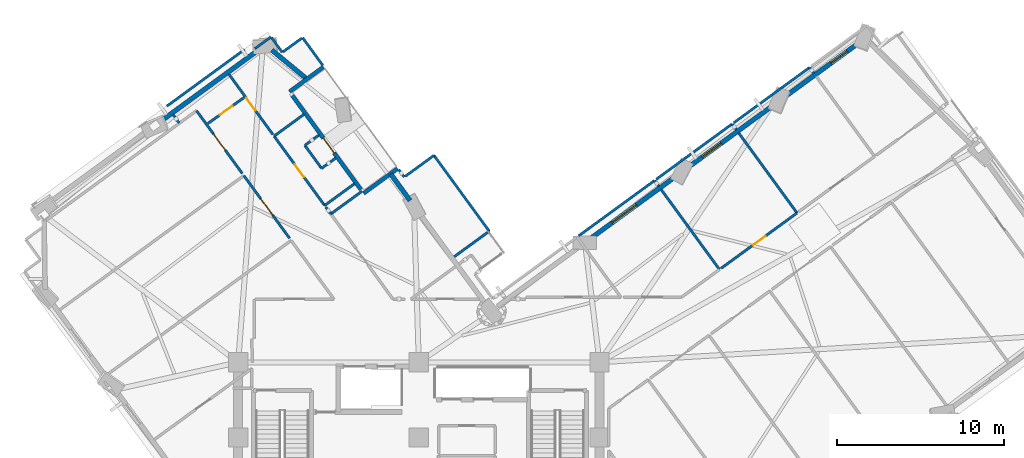
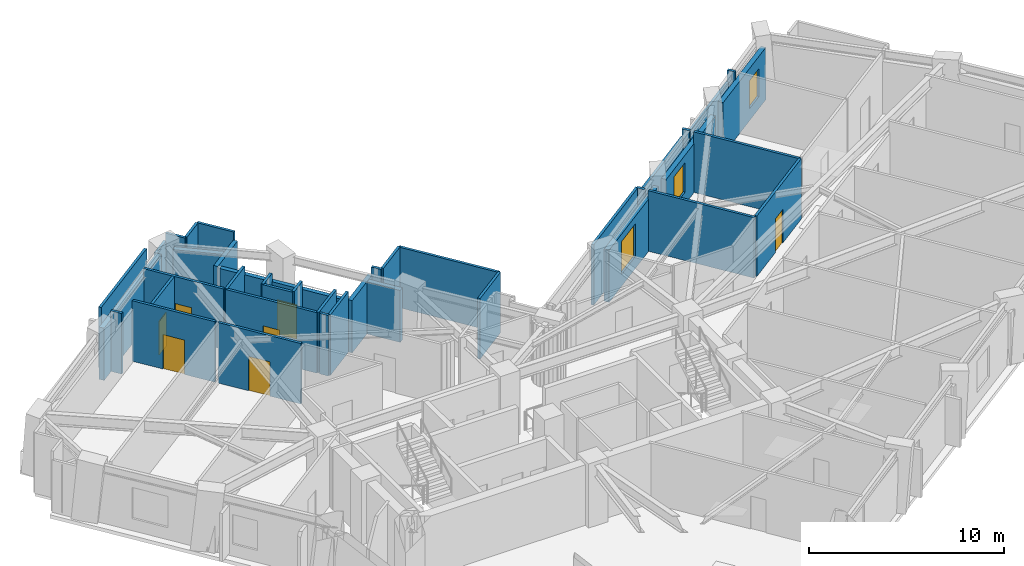
# One storey, part 8 of 14: 40 walls, 7 doors, 3 windows, 10 openings.
"""IFC4 building model written with IfcOpenShell, lengths in metres."""

from ifc_helpers import new_model, si_unit, direction, frame, frame_2d, origin, place, context, subcontext, project, spatial, rectangle, extrude, material, layer, layer_set, type_object, element, fill, save


model = new_model("IFC4")

# Units and contexts
model_context = context("Model", 3, precision=1e-05, world=origin(), true_north=direction((0.0, 1.0)))
body_context = subcontext(model_context, "Body", "Model", "MODEL_VIEW")
ifc_project = project(units=[si_unit("LENGTHUNIT", "METRE"), si_unit("AREAUNIT", "SQUARE_METRE"), si_unit("VOLUMEUNIT", "CUBIC_METRE"), si_unit("PLANEANGLEUNIT", "RADIAN"), si_unit("MASSUNIT", "GRAM", prefix="KILO")], contexts=[model_context])

# Site, building, storey
site_placement = place(None, origin())
site = spatial("IfcSite", under=ifc_project, at=site_placement, CompositionType="ELEMENT")
building_placement = place(site_placement, origin())
building = spatial("IfcBuilding", under=site, at=building_placement, Name="Gaonmaruhae Medical Tower", CompositionType="ELEMENT")
storey_placement = place(building_placement, frame((0.0, 0.0, 177.800048828125)))
storey = spatial("IfcBuildingStorey", under=building, at=storey_placement, Name="L42", CompositionType="ELEMENT", Elevation=177.800048828125)

# Wall, opening, door
ifc_material_1 = material(Name="Precast concrete C45/55", Category="concrete")
ifc_layer_1 = layer(ifc_material_1, 0.239990234375)
ifc_layer_set_1 = layer_set([ifc_layer_1], Name="Precast concrete C45/55")
wall_type_1 = type_object("IfcWallType", Name="EW-240 Ribbon & Shelter Insulated Precast Wall", PredefinedType="SOLIDWALL", material=ifc_layer_set_1)
wall_1_placement = place(storey_placement, frame((17.235595703125, 32.7470703125, 0.0), z_axis=(0.0, 0.0, 1.0), x_axis=(0.589164046523, -0.808013444371, 0.0)))
wall_1 = element("IfcWall", 1, at=wall_1_placement, inside=storey, type_object=wall_type_1, Name="L42 Recessed Terrace Enclosure Wall TERB", PredefinedType="SOLIDWALL", context=body_context, shape_type="SweptSolid", body=[
    extrude(rectangle(XDim=6.9599609375, YDim=0.239990234375, at=frame_2d((3.47998046875, 0.0))), origin(), (0.0, 0.0, 1.0), 3.264892578125),
])
opening_1_placement = place(wall_1_placement, frame((3.15234375, 0.0, 0.0)))
opening_1 = element("IfcOpeningElement", 2, at=opening_1_placement, cuts=wall_1, Name="Opening TD-01", PredefinedType="OPENING", context=body_context, shape_type="SweptSolid", body=[
    extrude(rectangle(XDim=1.10009765625, YDim=2.14990234375, at=frame_2d((0.550048828125, 1.074951171875))), frame((0.0, 0.1298828125, 0.0), z_axis=(0.0, -1.0, 0.0), x_axis=(1.0, 0.0, 0.0)), (0.0, 0.0, 1.0), 0.260009765625),
])
ifc_material_2 = material(Name="Anodised aluminium and toughened safety glass", Category="aluminium")
door_type_1 = type_object("IfcDoorType", Name="TD-01 Terrace & Sky Garden Glazed Door 1100x2150", OperationType="NOTDEFINED", PredefinedType="DOOR", material=ifc_material_2)
door_1_placement = place(opening_1_placement, origin())
door_1 = element("IfcDoor", 3, at=door_1_placement, inside=storey, type_object=door_type_1, Name="L42 Outdoor Terrace Access Door SLB-L42-TER", OperationType="SINGLE_SWING_RIGHT", OverallHeight=2.14990234375, OverallWidth=1.10009765625, PredefinedType="DOOR", context=body_context, shape_type="SweptSolid", body=[
    extrude(rectangle(XDim=1.10009765625, YDim=2.14990234375, at=frame_2d((0.550048828125, 1.074951171875))), frame((0.0, 0.02490234375, 0.0), z_axis=(0.0, -1.0, 0.0), x_axis=(1.0, 0.0, 0.0)), (0.0, 0.0, 1.0), 0.050048828125),
])
fill(opening_1, door_1)

# Walls
wall_2_placement = place(storey_placement, frame((21.501220703125, 26.897216796875, 0.0), z_axis=(0.0, 0.0, 1.0), x_axis=(0.808013341442, 0.589164187686, 0.0)))
element("IfcWall", 4, at=wall_2_placement, inside=storey, type_object=wall_type_1, Name="L42 Recessed Terrace Enclosure Wall TERL", PredefinedType="SOLIDWALL", context=body_context, shape_type="SweptSolid", body=[
    extrude(rectangle(XDim=2.5, YDim=0.239990234375, at=frame_2d((1.25, 0.0))), origin(), (0.0, 0.0, 1.0), 3.264892578125),
])
wall_3_placement = place(storey_placement, frame((19.090576171875, 34.4462890625, 0.0), z_axis=(0.0, 0.0, 1.0), x_axis=(-0.807966851779, -0.589227940976, 0.0)))
element("IfcWall", 5, at=wall_3_placement, inside=storey, type_object=wall_type_1, Name="L42 Recessed Terrace Enclosure Wall TERR", PredefinedType="SOLIDWALL", context=body_context, shape_type="SweptSolid", body=[
    extrude(rectangle(XDim=2.500244140625, YDim=0.239990234375, at=frame_2d((1.25, 0.0))), origin(), (0.0, 0.0, 1.0), 3.264892578125),
])

# Wall, opening, window
ifc_layer_2 = layer(ifc_material_1, 0.280029296875)
ifc_layer_set_2 = layer_set([ifc_layer_2], Name="Precast concrete C45/55")
wall_type_2 = type_object("IfcWallType", Name="EW-280 Upper Precast Masonry-Frame Facade Wall", PredefinedType="SOLIDWALL", material=ifc_layer_set_2)
wall_4_placement = place(storey_placement, frame((46.75048828125, 32.718505859375, 0.0), z_axis=(0.0, 0.0, 1.0), x_axis=(0.807961830103, 0.589234826785, 0.0)))
wall_4 = element("IfcWall", 6, at=wall_4_placement, inside=storey, type_object=wall_type_2, Name="L42 Precast Masonry-Frame Wall E03-EN01", PredefinedType="SOLIDWALL", context=body_context, shape_type="SweptSolid", body=[
    extrude(rectangle(XDim=5.404541015625, YDim=0.280029296875, at=frame_2d((2.7021484375, 0.0))), origin(), (0.0, 0.0, 1.0), 3.264892578125),
])
opening_2_placement = place(wall_4_placement, frame((3.333740234375, 0.0, 0.75)))
opening_2 = element("IfcOpeningElement", 7, at=opening_2_placement, cuts=wall_4, Name="Opening WN-05", PredefinedType="OPENING", context=body_context, shape_type="SweptSolid", body=[
    extrude(rectangle(XDim=1.199951171875, YDim=1.75, at=frame_2d((0.60009765625, 0.875))), frame((0.0, 0.14990234375, 0.0), z_axis=(0.0, -1.0, 0.0), x_axis=(1.0, 0.0, 0.0)), (0.0, 0.0, 1.0), 0.300048828125),
])
ifc_material_3 = material(Name="Anodised aluminium and Low-E double glazing", Category="aluminium")
window_type_1 = type_object("IfcWindowType", Name="WN-05 Support & Staff Punched Window 1200x1750", PartitioningType="SINGLE_PANEL", PredefinedType="WINDOW", material=ifc_material_3)
window_1_placement = place(opening_2_placement, origin())
window_1 = element("IfcWindow", 8, at=window_1_placement, inside=storey, type_object=window_type_1, Name="L42 Modular Facade Window E03", OverallHeight=1.75, OverallWidth=1.199951171875, PartitioningType="SINGLE_PANEL", PredefinedType="WINDOW", context=body_context, shape_type="SweptSolid", body=[
    extrude(rectangle(XDim=1.199951171875, YDim=1.75, at=frame_2d((0.60009765625, 0.875))), frame((0.0, 0.030029296875, 0.0), z_axis=(0.0, -1.0, 0.0), x_axis=(1.0, 0.0, 0.0)), (0.0, 0.0, 1.0), 0.06005859375),
])
fill(opening_2, window_1)

wall_5_placement = place(storey_placement, frame((40.9423828125, 28.4833984375, 0.0), z_axis=(0.0, 0.0, 1.0), x_axis=(0.807987697301, 0.589199355915, 0.0)))
wall_5 = element("IfcWall", 9, at=wall_5_placement, inside=storey, type_object=wall_type_2, Name="L42 Precast Masonry-Frame Wall EN01-EN02", PredefinedType="SOLIDWALL", context=body_context, shape_type="SweptSolid", body=[
    extrude(rectangle(XDim=6.2265625, YDim=0.280029296875, at=frame_2d((3.11328125, 0.0))), origin(), (0.0, 0.0, 1.0), 3.06494140625),
])
opening_3_placement = place(wall_5_placement, frame((0.995849609375, 0.0, 0.75)))
opening_3 = element("IfcOpeningElement", 10, at=opening_3_placement, cuts=wall_5, Name="Opening WN-03", PredefinedType="OPENING", context=body_context, shape_type="SweptSolid", body=[
    extrude(rectangle(XDim=1.39990234375, YDim=1.85009765625, at=frame_2d((0.699951171875, 0.925048828125))), frame((0.0, 0.14990234375, 0.0), z_axis=(0.0, -1.0, 0.0), x_axis=(1.0, 0.0, 0.0)), (0.0, 0.0, 1.0), 0.300048828125),
])
window_type_2 = type_object("IfcWindowType", Name="WN-03 Isolation Ward Punched Window 1400x1850", PartitioningType="SINGLE_PANEL", PredefinedType="WINDOW", material=ifc_material_3)
window_2_placement = place(opening_3_placement, origin())
window_2 = element("IfcWindow", 11, at=window_2_placement, inside=storey, type_object=window_type_2, Name="L42 Modular Facade Window EN01", OverallHeight=1.85009765625, OverallWidth=1.39990234375, PartitioningType="SINGLE_PANEL", PredefinedType="WINDOW", context=body_context, shape_type="SweptSolid", body=[
    extrude(rectangle(XDim=1.39990234375, YDim=1.85009765625, at=frame_2d((0.699951171875, 0.925048828125))), frame((0.0, 0.030029296875, 0.0), z_axis=(0.0, -1.0, 0.0), x_axis=(1.0, 0.0, 0.0)), (0.0, 0.0, 1.0), 0.06005859375),
])
fill(opening_3, window_2)

wall_6_placement = place(storey_placement, frame((35.128662109375, 24.243896484375, 0.0), z_axis=(0.0, 0.0, 1.0), x_axis=(0.808002852065, 0.589178573147, 0.0)))
wall_6 = element("IfcWall", 12, at=wall_6_placement, inside=storey, type_object=wall_type_2, Name="L42 Precast Masonry-Frame Wall EN02-EN03", PredefinedType="SOLIDWALL", context=body_context, shape_type="SweptSolid", body=[
    extrude(rectangle(XDim=6.211181640625, YDim=0.280029296875, at=frame_2d((3.10546875, 0.0))), origin(), (0.0, 0.0, 1.0), 3.264892578125),
])
opening_4_placement = place(wall_6_placement, frame((1.523681640625, 0.0, 0.75)))
opening_4 = element("IfcOpeningElement", 13, at=opening_4_placement, cuts=wall_6, Name="Opening WN-04", PredefinedType="OPENING", context=body_context, shape_type="SweptSolid", body=[
    extrude(rectangle(XDim=1.800048828125, YDim=2.050048828125, at=frame_2d((0.89990234375, 1.02490234375))), frame((0.0, 0.14990234375, 0.0), z_axis=(0.0, -1.0, 0.0), x_axis=(1.0, 0.0, 0.0)), (0.0, 0.0, 1.0), 0.300048828125),
])
window_type_3 = type_object("IfcWindowType", Name="WN-04 Clinic & Consult Punched Window 1800x2050", PartitioningType="SINGLE_PANEL", PredefinedType="WINDOW", material=ifc_material_3)
window_3_placement = place(opening_4_placement, origin())
window_3 = element("IfcWindow", 14, at=window_3_placement, inside=storey, type_object=window_type_3, Name="L42 Modular Facade Window EN02", OverallHeight=2.050048828125, OverallWidth=1.800048828125, PartitioningType="SINGLE_PANEL", PredefinedType="WINDOW", context=body_context, shape_type="SweptSolid", body=[
    extrude(rectangle(XDim=1.800048828125, YDim=2.050048828125, at=frame_2d((0.89990234375, 1.02490234375))), frame((0.0, 0.030029296875, 0.0), z_axis=(0.0, -1.0, 0.0), x_axis=(1.0, 0.0, 0.0)), (0.0, 0.0, 1.0), 0.06005859375),
])
fill(opening_4, window_3)

# Walls
wall_7_placement = place(storey_placement, frame((24.2783203125, 26.46630859375, 0.0), z_axis=(0.0, 0.0, 1.0), x_axis=(-0.589146798516, 0.808026020496, 0.0)))
element("IfcWall", 15, at=wall_7_placement, inside=storey, type_object=wall_type_2, Name="L42 Precast Masonry-Frame Wall NE01-NE02", PredefinedType="SOLIDWALL", context=body_context, shape_type="SweptSolid", body=[
    extrude(rectangle(XDim=1.96435546875, YDim=0.280029296875, at=frame_2d((0.982177734375, 0.0))), origin(), (0.0, 0.0, 1.0), 3.244873046875),
])
wall_8_placement = place(storey_placement, frame((16.014892578125, 35.459716796875, 0.0), z_axis=(0.0, 0.0, 1.0), x_axis=(0.771396619777, -0.63635466133, 0.0)))
element("IfcWall", 16, at=wall_8_placement, inside=storey, type_object=wall_type_2, Name="L42 Precast Masonry-Frame Wall NE02-N01", PredefinedType="SOLIDWALL", context=body_context, shape_type="SweptSolid", body=[
    extrude(rectangle(XDim=2.695556640625, YDim=0.280029296875, at=frame_2d((1.34765625, 0.0))), origin(), (0.0, 0.0, 1.0), 3.244873046875),
])
wall_9_placement = place(storey_placement, frame((9.2666015625, 31.127685546875, 0.0), z_axis=(0.0, 0.0, 1.0), x_axis=(0.807974712065, 0.589217162567, 0.0)))
element("IfcWall", 17, at=wall_9_placement, inside=storey, type_object=wall_type_2, Name="L42 Precast Masonry-Frame Wall N01-N02", PredefinedType="SOLIDWALL", context=body_context, shape_type="SweptSolid", body=[
    extrude(rectangle(XDim=7.230712890625, YDim=0.280029296875, at=frame_2d((3.615234375, 0.0))), origin(), (0.0, 0.0, 1.0), 3.264892578125),
])

# Wall, opening, door
ifc_material_4 = material(Name="Gypsum board partition", Category="gypsum")
ifc_layer_3 = layer(ifc_material_4, 0.14990234375)
ifc_layer_set_3 = layer_set([ifc_layer_3], Name="Gypsum board partition")
wall_type_3 = type_object("IfcWallType", Name="PW-150 Rated Clinical Corridor Partition", PredefinedType="PARTITIONING", material=ifc_layer_set_3)
wall_10_placement = place(storey_placement, frame((14.341064453125, 27.958984375, 0.0), z_axis=(0.0, 0.0, 1.0), x_axis=(0.589203646607, -0.807984568432, 0.0)))
wall_10 = element("IfcWall", 18, at=wall_10_placement, inside=storey, type_object=wall_type_3, Name="L42 Interior Partition L42-WOF16-54", PredefinedType="PARTITIONING", context=body_context, shape_type="SweptSolid", body=[
    extrude(rectangle(XDim=4.639892578125, YDim=0.14990234375, at=frame_2d((2.31982421875, 0.0))), origin(), (0.0, 0.0, 1.0), 3.780029296875),
])
opening_5_placement = place(wall_10_placement, frame((1.719970703125, 0.0, 0.0)))
opening_5 = element("IfcOpeningElement", 19, at=opening_5_placement, cuts=wall_10, Name="Opening CD-02", PredefinedType="OPENING", context=body_context, shape_type="SweptSolid", body=[
    extrude(rectangle(XDim=1.199951171875, YDim=2.14990234375, at=frame_2d((0.60009765625, 1.074951171875))), frame((0.0, 0.0849609375, 0.0), z_axis=(0.0, -1.0, 0.0), x_axis=(1.0, 0.0, 0.0)), (0.0, 0.0, 1.0), 0.169921875),
])
ifc_material_5 = material(Name="Antimicrobial laminate timber fire door", Category="wood")
door_type_2 = type_object("IfcDoorType", Name="CD-02 Clinical Treatment & Procedure Door 1200x2150", OperationType="NOTDEFINED", PredefinedType="DOOR", material=ifc_material_5)
door_2_placement = place(opening_5_placement, origin())
door_2 = element("IfcDoor", 20, at=door_2_placement, inside=storey, type_object=door_type_2, Name="L42 Ward Physician Reporting Office Door", OperationType="SINGLE_SWING_LEFT", OverallHeight=2.14990234375, OverallWidth=1.199951171875, PredefinedType="DOOR", context=body_context, shape_type="SweptSolid", body=[
    extrude(rectangle(XDim=1.199951171875, YDim=2.14990234375, at=frame_2d((0.60009765625, 1.074951171875))), frame((0.0, 0.02490234375, 0.0), z_axis=(0.0, -1.0, 0.0), x_axis=(1.0, 0.0, 0.0)), (0.0, 0.0, 1.0), 0.050048828125),
])
fill(opening_5, door_2)

wall_11_placement = place(storey_placement, frame((11.512939453125, 31.8369140625, 0.0), z_axis=(0.0, 0.0, 1.0), x_axis=(0.589100581197, -0.808059716378, 0.0)))
wall_11 = element("IfcWall", 21, at=wall_11_placement, inside=storey, type_object=wall_type_3, Name="L42 Interior Partition L42-WOF17-56", PredefinedType="PARTITIONING", context=body_context, shape_type="SweptSolid", body=[
    extrude(rectangle(XDim=4.6396484375, YDim=0.14990234375, at=frame_2d((2.31982421875, 0.0))), origin(), (0.0, 0.0, 1.0), 3.780029296875),
])
opening_6_placement = place(wall_11_placement, frame((1.7197265625, 0.0, 0.0)))
opening_6 = element("IfcOpeningElement", 22, at=opening_6_placement, cuts=wall_11, Name="Opening CD-02", PredefinedType="OPENING", context=body_context, shape_type="SweptSolid", body=[
    extrude(rectangle(XDim=1.199951171875, YDim=2.14990234375, at=frame_2d((0.60009765625, 1.074951171875))), frame((0.0, 0.0849609375, 0.0), z_axis=(0.0, -1.0, 0.0), x_axis=(1.0, 0.0, 0.0)), (0.0, 0.0, 1.0), 0.169921875),
])
door_3_placement = place(opening_6_placement, origin())
door_3 = element("IfcDoor", 23, at=door_3_placement, inside=storey, type_object=door_type_2, Name="L42 Ward Physician Reporting Office Door", OperationType="SINGLE_SWING_LEFT", OverallHeight=2.14990234375, OverallWidth=1.199951171875, PredefinedType="DOOR", context=body_context, shape_type="SweptSolid", body=[
    extrude(rectangle(XDim=1.199951171875, YDim=2.14990234375, at=frame_2d((0.60009765625, 1.074951171875))), frame((0.0, 0.02490234375, 0.0), z_axis=(0.0, -1.0, 0.0), x_axis=(1.0, 0.0, 0.0)), (0.0, 0.0, 1.0), 0.050048828125),
])
fill(opening_6, door_3)

# Walls
wall_12_placement = place(storey_placement, frame((34.35205078125, 24.35791015625, 0.0), z_axis=(0.0, 0.0, 1.0), x_axis=(0.807979944468, 0.589209987473, 0.0)))
element("IfcWall", 24, at=wall_12_placement, inside=storey, type_object=wall_type_3, Name="L42 Interior Partition L42-IE03-79", PredefinedType="PARTITIONING", context=body_context, shape_type="SweptSolid", body=[
    extrude(rectangle(XDim=5.61767578125, YDim=0.14990234375, at=frame_2d((2.808837890625, 0.0))), origin(), (0.0, 0.0, 1.0), 3.780029296875),
])
wall_13_placement = place(storey_placement, frame((38.89111328125, 27.66796875, 0.0), z_axis=(0.0, 0.0, 1.0), x_axis=(0.588973394119, -0.808152424373, 0.0)))
element("IfcWall", 25, at=wall_13_placement, inside=storey, type_object=wall_type_3, Name="L42 Interior Partition L42-IE03-80", PredefinedType="PARTITIONING", context=body_context, shape_type="SweptSolid", body=[
    extrude(rectangle(XDim=0.434326171875, YDim=0.14990234375, at=frame_2d((0.21728515625, 0.0))), origin(), (0.0, 0.0, 1.0), 3.780029296875),
])
wall_14_placement = place(storey_placement, frame((39.282958984375, 27.131103515625, 0.0), z_axis=(0.0, 0.0, 1.0), x_axis=(0.58921251088, -0.807978104296, 0.0)))
element("IfcWall", 26, at=wall_14_placement, inside=storey, type_object=wall_type_3, Name="L42 Interior Partition L42-IE03-81", PredefinedType="PARTITIONING", context=body_context, shape_type="SweptSolid", body=[
    extrude(rectangle(XDim=5.9248046875, YDim=0.14990234375, at=frame_2d((2.96240234375, 0.0))), origin(), (0.0, 0.0, 1.0), 3.780029296875),
])

# Wall, opening, door
wall_15_placement = place(storey_placement, frame((47.409912109375, 25.72412109375, 0.0), z_axis=(0.0, 0.0, 1.0), x_axis=(-0.807964856264, -0.589230677275, 0.0)))
wall_15 = element("IfcWall", 27, at=wall_15_placement, inside=storey, type_object=wall_type_3, Name="L42 Interior Partition L42-IE04-84", PredefinedType="PARTITIONING", context=body_context, shape_type="SweptSolid", body=[
    extrude(rectangle(XDim=5.61767578125, YDim=0.14990234375, at=frame_2d((2.808837890625, 0.0))), origin(), (0.0, 0.0, 1.0), 3.780029296875),
])
opening_7_placement = place(wall_15_placement, frame((2.348876953125, 0.0, 0.0)))
opening_7 = element("IfcOpeningElement", 28, at=opening_7_placement, cuts=wall_15, Name="Opening UD-01", PredefinedType="OPENING", context=body_context, shape_type="SweptSolid", body=[
    extrude(rectangle(XDim=0.919921875, YDim=2.10009765625, at=frame_2d((0.4599609375, 1.050048828125))), frame((0.0, 0.0849609375, 0.0), z_axis=(0.0, -1.0, 0.0), x_axis=(1.0, 0.0, 0.0)), (0.0, 0.0, 1.0), 0.169921875),
])
ifc_material_6 = material(Name="Powder-coated steel utility door", Category="steel")
door_type_3 = type_object("IfcDoorType", Name="UD-01 Toilet, Utility & Housekeeping Door 920x2100", OperationType="NOTDEFINED", PredefinedType="DOOR", material=ifc_material_6)
door_4_placement = place(opening_7_placement, origin())
door_4 = element("IfcDoor", 29, at=door_4_placement, inside=storey, type_object=door_type_3, Name="L42 Accessible Public Toilet Door", OperationType="SINGLE_SWING_RIGHT", OverallHeight=2.10009765625, OverallWidth=0.919921875, PredefinedType="DOOR", context=body_context, shape_type="SweptSolid", body=[
    extrude(rectangle(XDim=0.919921875, YDim=2.10009765625, at=frame_2d((0.4599609375, 1.050048828125))), frame((0.0, 0.02490234375, 0.0), z_axis=(0.0, -1.0, 0.0), x_axis=(1.0, 0.0, 0.0)), (0.0, 0.0, 1.0), 0.050048828125),
])
fill(opening_7, door_4)

# Walls
wall_16_placement = place(storey_placement, frame((38.988037109375, 27.739013671875, 0.0), z_axis=(0.0, 0.0, 1.0), x_axis=(0.807979944468, 0.589209987473, 0.0)))
element("IfcWall", 30, at=wall_16_placement, inside=storey, type_object=wall_type_3, Name="L42 Interior Partition L42-IE04-85", PredefinedType="PARTITIONING", context=body_context, shape_type="SweptSolid", body=[
    extrude(rectangle(XDim=5.61767578125, YDim=0.14990234375, at=frame_2d((2.808837890625, 0.0))), origin(), (0.0, 0.0, 1.0), 3.264892578125),
])
wall_17_placement = place(storey_placement, frame((43.527099609375, 31.049072265625, 0.0), z_axis=(0.0, 0.0, 1.0), x_axis=(0.587904822125, -0.808930108305, 0.0)))
element("IfcWall", 31, at=wall_17_placement, inside=storey, type_object=wall_type_3, Name="L42 Interior Partition L42-IE04-86", PredefinedType="PARTITIONING", context=body_context, shape_type="SweptSolid", body=[
    extrude(rectangle(XDim=0.435302734375, YDim=0.14990234375, at=frame_2d((0.2177734375, 0.0))), origin(), (0.0, 0.0, 1.0), 3.780029296875),
])
wall_18_placement = place(storey_placement, frame((43.9189453125, 30.511962890625, 0.0), z_axis=(0.0, 0.0, 1.0), x_axis=(0.589153663483, -0.808021015076, 0.0)))
element("IfcWall", 32, at=wall_18_placement, inside=storey, type_object=wall_type_3, Name="L42 Interior Partition L42-IE04-87", PredefinedType="PARTITIONING", context=body_context, shape_type="SweptSolid", body=[
    extrude(rectangle(XDim=5.92529296875, YDim=0.14990234375, at=frame_2d((2.962646484375, 0.0))), origin(), (0.0, 0.0, 1.0), 3.780029296875),
])
wall_19_placement = place(storey_placement, frame((43.6240234375, 31.118896484375, 0.0), z_axis=(0.0, 0.0, 1.0), x_axis=(0.807979944468, 0.589209987473, 0.0)))
element("IfcWall", 33, at=wall_19_placement, inside=storey, type_object=wall_type_3, Name="L42 Interior Partition L42-IE05-89", PredefinedType="PARTITIONING", context=body_context, shape_type="SweptSolid", body=[
    extrude(rectangle(XDim=5.61767578125, YDim=0.14990234375, at=frame_2d((2.808837890625, 0.0))), origin(), (0.0, 0.0, 1.0), 3.06494140625),
])
wall_20_placement = place(storey_placement, frame((48.1630859375, 34.428955078125, 0.0), z_axis=(0.0, 0.0, 1.0), x_axis=(0.588973394119, -0.808152424373, 0.0)))
element("IfcWall", 34, at=wall_20_placement, inside=storey, type_object=wall_type_3, Name="L42 Interior Partition L42-IE05-90", PredefinedType="PARTITIONING", context=body_context, shape_type="SweptSolid", body=[
    extrude(rectangle(XDim=0.434326171875, YDim=0.14990234375, at=frame_2d((0.21728515625, 0.0))), origin(), (0.0, 0.0, 1.0), 3.780029296875),
])
wall_21_placement = place(storey_placement, frame((19.541015625, 25.6650390625, 0.0), z_axis=(0.0, 0.0, 1.0), x_axis=(0.807958250953, 0.589239734503, 0.0)))
element("IfcWall", 35, at=wall_21_placement, inside=storey, type_object=wall_type_3, Name="L42 Interior Partition L42-IN01-101", PredefinedType="PARTITIONING", context=body_context, shape_type="SweptSolid", body=[
    extrude(rectangle(XDim=2.3095703125, YDim=0.14990234375, at=frame_2d((1.15478515625, 0.0))), origin(), (0.0, 0.0, 1.0), 3.780029296875),
])
wall_22_placement = place(storey_placement, frame((23.60400390625, 28.323974609375, 0.0), z_axis=(0.0, 0.0, 1.0), x_axis=(0.590292880672, -0.807189144518, 0.0)))
element("IfcWall", 36, at=wall_22_placement, inside=storey, type_object=wall_type_3, Name="L42 Interior Partition L42-IN01-102", PredefinedType="PARTITIONING", context=body_context, shape_type="SweptSolid", body=[
    extrude(rectangle(XDim=0.5537109375, YDim=0.14990234375, at=frame_2d((0.27685546875, 0.0))), origin(), (0.0, 0.0, 1.0), 3.780029296875),
])
wall_23_placement = place(storey_placement, frame((16.14892578125, 30.31689453125, 0.0), z_axis=(0.0, 0.0, 1.0), x_axis=(0.807867554791, 0.589364075861, 0.0)))
element("IfcWall", 37, at=wall_23_placement, inside=storey, type_object=wall_type_3, Name="L42 Interior Partition L42-IN02-103", PredefinedType="PARTITIONING", context=body_context, shape_type="SweptSolid", body=[
    extrude(rectangle(XDim=2.214599609375, YDim=0.14990234375, at=frame_2d((1.107421875, 0.0))), origin(), (0.0, 0.0, 1.0), 3.780029296875),
])
wall_24_placement = place(storey_placement, frame((18.839111328125, 30.386962890625, 0.0), z_axis=(0.0, 0.0, 1.0), x_axis=(-0.807653927486, -0.589656792903, 0.0)))
element("IfcWall", 38, at=wall_24_placement, inside=storey, type_object=wall_type_3, Name="L42 Interior Partition L42-IN02-104", PredefinedType="PARTITIONING", context=body_context, shape_type="SweptSolid", body=[
    extrude(rectangle(XDim=1.054931640625, YDim=0.14990234375, at=frame_2d((0.52734375, 0.0))), origin(), (0.0, 0.0, 1.0), 3.780029296875),
])
wall_25_placement = place(storey_placement, frame((17.987060546875, 29.764892578125, 0.0), z_axis=(0.0, 0.0, 1.0), x_axis=(0.589263942503, -0.807940595629, 0.0)))
element("IfcWall", 39, at=wall_25_placement, inside=storey, type_object=wall_type_3, Name="L42 Interior Partition L42-IN02-105", PredefinedType="PARTITIONING", context=body_context, shape_type="SweptSolid", body=[
    extrude(rectangle(XDim=1.700439453125, YDim=0.14990234375, at=frame_2d((0.85009765625, 0.0))), origin(), (0.0, 0.0, 1.0), 3.780029296875),
])
wall_26_placement = place(storey_placement, frame((18.989013671875, 28.39111328125, 0.0), z_axis=(0.0, 0.0, 1.0), x_axis=(0.807764139301, 0.589505805959, 0.0)))
element("IfcWall", 40, at=wall_26_placement, inside=storey, type_object=wall_type_3, Name="L42 Interior Partition L42-IN02-106", PredefinedType="PARTITIONING", context=body_context, shape_type="SweptSolid", body=[
    extrude(rectangle(XDim=1.054931640625, YDim=0.14990234375, at=frame_2d((0.52734375, 0.0))), origin(), (0.0, 0.0, 1.0), 3.780029296875),
])
wall_27_placement = place(storey_placement, frame((20.9609375, 27.47705078125, 0.0), z_axis=(0.0, 0.0, 1.0), x_axis=(-0.808073108898, -0.589082210456, 0.0)))
element("IfcWall", 41, at=wall_27_placement, inside=storey, type_object=wall_type_3, Name="L42 Interior Partition L42-IN02-107", PredefinedType="PARTITIONING", context=body_context, shape_type="SweptSolid", body=[
    extrude(rectangle(XDim=2.215087890625, YDim=0.14990234375, at=frame_2d((1.107421875, 0.0))), origin(), (0.0, 0.0, 1.0), 3.780029296875),
])

# Wall, opening, door
wall_28_placement = place(storey_placement, frame((19.1708984375, 26.172119140625, 0.0), z_axis=(0.0, 0.0, 1.0), x_axis=(-0.589139140752, 0.808031603858, 0.0)))
wall_28 = element("IfcWall", 42, at=wall_28_placement, inside=storey, type_object=wall_type_3, Name="L42 Interior Partition L42-IN02-108", PredefinedType="PARTITIONING", context=body_context, shape_type="SweptSolid", body=[
    extrude(rectangle(XDim=5.12939453125, YDim=0.14990234375, at=frame_2d((2.564697265625, 0.0))), origin(), (0.0, 0.0, 1.0), 3.780029296875),
])
opening_8_placement = place(wall_28_placement, frame((2.104736328125, 0.0, 0.0)))
opening_8 = element("IfcOpeningElement", 43, at=opening_8_placement, cuts=wall_28, Name="Opening UD-01", PredefinedType="OPENING", context=body_context, shape_type="SweptSolid", body=[
    extrude(rectangle(XDim=0.919921875, YDim=2.10009765625, at=frame_2d((0.4599609375, 1.050048828125))), frame((0.0, 0.0849609375, 0.0), z_axis=(0.0, -1.0, 0.0), x_axis=(1.0, 0.0, 0.0)), (0.0, 0.0, 1.0), 0.169921875),
])
door_5_placement = place(opening_8_placement, origin())
door_5 = element("IfcDoor", 44, at=door_5_placement, inside=storey, type_object=door_type_3, Name="L42 Ward Nutrition Pantry Door", OperationType="SINGLE_SWING_LEFT", OverallHeight=2.10009765625, OverallWidth=0.919921875, PredefinedType="DOOR", context=body_context, shape_type="SweptSolid", body=[
    extrude(rectangle(XDim=0.919921875, YDim=2.10009765625, at=frame_2d((0.4599609375, 1.050048828125))), frame((0.0, 0.02490234375, 0.0), z_axis=(0.0, -1.0, 0.0), x_axis=(1.0, 0.0, 0.0)), (0.0, 0.0, 1.0), 0.050048828125),
])
fill(opening_8, door_5)

# Wall
wall_29_placement = place(storey_placement, frame((17.85205078125, 36.212890625, 0.0), z_axis=(0.0, 0.0, 1.0), x_axis=(0.589005407572, -0.808129092318, 0.0)))
element("IfcWall", 45, at=wall_29_placement, inside=storey, type_object=wall_type_3, Name="L42 Interior Partition L42-IN03-109", PredefinedType="PARTITIONING", context=body_context, shape_type="SweptSolid", body=[
    extrude(rectangle(XDim=2.0712890625, YDim=0.14990234375, at=frame_2d((1.03564453125, 0.0))), origin(), (0.0, 0.0, 1.0), 3.780029296875),
])

# Wall, opening, door
wall_30_placement = place(storey_placement, frame((16.077880859375, 30.4140625, 0.0), z_axis=(0.0, 0.0, 1.0), x_axis=(-0.589322799206, 0.807897665757, 0.0)))
wall_30 = element("IfcWall", 46, at=wall_30_placement, inside=storey, type_object=wall_type_3, Name="L42 Interior Partition L42-IN03-110", PredefinedType="PARTITIONING", context=body_context, shape_type="SweptSolid", body=[
    extrude(rectangle(XDim=4.474609375, YDim=0.14990234375, at=frame_2d((2.2373046875, 0.0))), origin(), (0.0, 0.0, 1.0), 3.780029296875),
])
opening_9_placement = place(wall_30_placement, frame((1.77734375, 0.0, 0.0)))
opening_9 = element("IfcOpeningElement", 47, at=opening_9_placement, cuts=wall_30, Name="Opening UD-01", PredefinedType="OPENING", context=body_context, shape_type="SweptSolid", body=[
    extrude(rectangle(XDim=0.919921875, YDim=2.10009765625, at=frame_2d((0.4599609375, 1.050048828125))), frame((0.0, 0.0849609375, 0.0), z_axis=(0.0, -1.0, 0.0), x_axis=(1.0, 0.0, 0.0)), (0.0, 0.0, 1.0), 0.169921875),
])
door_6_placement = place(opening_9_placement, origin())
door_6 = element("IfcDoor", 48, at=door_6_placement, inside=storey, type_object=door_type_3, Name="L42 Public Visitor Toilet Door", OperationType="SINGLE_SWING_LEFT", OverallHeight=2.10009765625, OverallWidth=0.919921875, PredefinedType="DOOR", context=body_context, shape_type="SweptSolid", body=[
    extrude(rectangle(XDim=0.919921875, YDim=2.10009765625, at=frame_2d((0.4599609375, 1.050048828125))), frame((0.0, 0.02490234375, 0.0), z_axis=(0.0, -1.0, 0.0), x_axis=(1.0, 0.0, 0.0)), (0.0, 0.0, 1.0), 0.050048828125),
])
fill(opening_9, door_6)

# Walls
wall_31_placement = place(storey_placement, frame((14.9970703125, 35.5419921875, 0.0), z_axis=(0.0, 0.0, 1.0), x_axis=(0.807997455197, 0.589185974371, 0.0)))
element("IfcWall", 49, at=wall_31_placement, inside=storey, type_object=wall_type_3, Name="L42 Interior Partition L42-IN03-111", PredefinedType="PARTITIONING", context=body_context, shape_type="SweptSolid", body=[
    extrude(rectangle(XDim=1.20166015625, YDim=0.14990234375, at=frame_2d((0.600830078125, 0.0))), origin(), (0.0, 0.0, 1.0), 3.264892578125),
])
wall_32_placement = place(storey_placement, frame((15.9970703125, 36.2099609375, 0.0), z_axis=(0.0, 0.0, 1.0), x_axis=(0.589488811875, -0.8077765413, 0.0)))
element("IfcWall", 50, at=wall_32_placement, inside=storey, type_object=wall_type_3, Name="L42 Interior Partition L42-IN03-112", PredefinedType="PARTITIONING", context=body_context, shape_type="SweptSolid", body=[
    extrude(rectangle(XDim=1.090576171875, YDim=0.14990234375, at=frame_2d((0.54541015625, 0.0))), origin(), (0.0, 0.0, 1.0), 3.780029296875),
])
wall_33_placement = place(storey_placement, frame((16.679931640625, 35.35791015625, 0.0), z_axis=(0.0, 0.0, 1.0), x_axis=(0.807770770607, 0.589496719374, 0.0)))
element("IfcWall", 51, at=wall_33_placement, inside=storey, type_object=wall_type_3, Name="L42 Interior Partition L42-IN03-113", PredefinedType="PARTITIONING", context=body_context, shape_type="SweptSolid", body=[
    extrude(rectangle(XDim=1.4013671875, YDim=0.14990234375, at=frame_2d((0.70068359375, 0.0))), origin(), (0.0, 0.0, 1.0), 3.780029296875),
])

# Wall, opening, door
wall_34_placement = place(storey_placement, frame((14.365966796875, 32.635986328125, 0.0), z_axis=(0.0, 0.0, 1.0), x_axis=(-0.811496275177, -0.584357592039, 0.0)))
wall_34 = element("IfcWall", 52, at=wall_34_placement, inside=storey, type_object=wall_type_3, Name="L42 Interior Partition L42-RM03-114", PredefinedType="PARTITIONING", context=body_context, shape_type="SweptSolid", body=[
    extrude(rectangle(XDim=2.67626953125, YDim=0.14990234375, at=frame_2d((1.338134765625, 0.0))), origin(), (0.0, 0.0, 1.0), 3.780029296875),
])
opening_10_placement = place(wall_34_placement, frame((0.87841796875, 0.0, 0.0)))
opening_10 = element("IfcOpeningElement", 53, at=opening_10_placement, cuts=wall_34, Name="Opening UD-01", PredefinedType="OPENING", context=body_context, shape_type="SweptSolid", body=[
    extrude(rectangle(XDim=0.919921875, YDim=2.10009765625, at=frame_2d((0.4599609375, 1.050048828125))), frame((0.0, 0.0849609375, 0.0), z_axis=(0.0, -1.0, 0.0), x_axis=(1.0, 0.0, 0.0)), (0.0, 0.0, 1.0), 0.169921875),
])
door_7_placement = place(opening_10_placement, origin())
door_7 = element("IfcDoor", 54, at=door_7_placement, inside=storey, type_object=door_type_3, Name="L42 Biomedical Mobile Equipment Bay Door", OperationType="SINGLE_SWING_RIGHT", OverallHeight=2.10009765625, OverallWidth=0.919921875, PredefinedType="DOOR", context=body_context, shape_type="SweptSolid", body=[
    extrude(rectangle(XDim=0.919921875, YDim=2.10009765625, at=frame_2d((0.4599609375, 1.050048828125))), frame((0.0, 0.02490234375, 0.0), z_axis=(0.0, -1.0, 0.0), x_axis=(1.0, 0.0, 0.0)), (0.0, 0.0, 1.0), 0.050048828125),
])
fill(opening_10, door_7)

# Walls
wall_35_placement = place(storey_placement, frame((10.47509765625, 31.10498046875, 0.0), z_axis=(0.0, 0.0, 1.0), x_axis=(-0.589797786762, 0.80755097098, 0.0)))
element("IfcWall", 55, at=wall_35_placement, inside=storey, type_object=wall_type_3, Name="L42 Interior Partition L42-RM03-115", PredefinedType="PARTITIONING", context=body_context, shape_type="SweptSolid", body=[
    extrude(rectangle(XDim=0.615478515625, YDim=0.14990234375, at=frame_2d((0.3076171875, 0.0))), origin(), (0.0, 0.0, 1.0), 3.780029296875),
])
wall_36_placement = place(storey_placement, frame((9.738037109375, 32.114990234375, 0.0), z_axis=(0.0, 0.0, 1.0), x_axis=(0.807986860135, 0.589200503945, 0.0)))
element("IfcWall", 56, at=wall_36_placement, inside=storey, type_object=wall_type_3, Name="L42 Interior Partition L42-RM03-116", PredefinedType="PARTITIONING", context=body_context, shape_type="SweptSolid", body=[
    extrude(rectangle(XDim=5.740234375, YDim=0.14990234375, at=frame_2d((2.8701171875, 0.0))), origin(), (0.0, 0.0, 1.0), 3.780029296875),
])
wall_37_placement = place(storey_placement, frame((19.241943359375, 26.074951171875, 0.0), z_axis=(0.0, 0.0, 1.0), x_axis=(0.587227615189, -0.809421847963, 0.0)))
element("IfcWall", 57, at=wall_37_placement, inside=storey, type_object=wall_type_3, Name="L42 Interior Partition L42-RM03-117", PredefinedType="PARTITIONING", context=body_context, shape_type="SweptSolid", body=[
    extrude(rectangle(XDim=0.507568359375, YDim=0.14990234375, at=frame_2d((0.25390625, 0.0))), origin(), (0.0, 0.0, 1.0), 3.780029296875),
])
wall_38_placement = place(storey_placement, frame((25.7080078125, 29.173095703125, 0.0), z_axis=(0.0, 0.0, 1.0), x_axis=(0.589172157449, -0.808007530216, 0.0)))
element("IfcWall", 58, at=wall_38_placement, inside=storey, type_object=wall_type_3, Name="L42 Interior Partition L42-RM04-118", PredefinedType="PARTITIONING", context=body_context, shape_type="SweptSolid", body=[
    extrude(rectangle(XDim=5.61279296875, YDim=0.14990234375, at=frame_2d((2.806396484375, 0.0))), origin(), (0.0, 0.0, 1.0), 3.780029296875),
])
wall_39_placement = place(storey_placement, frame((29.014892578125, 24.637939453125, 0.0), z_axis=(0.0, 0.0, 1.0), x_axis=(-0.808026227574, -0.589146514505, 0.0)))
element("IfcWall", 59, at=wall_39_placement, inside=storey, type_object=wall_type_3, Name="L42 Interior Partition L42-RM04-119", PredefinedType="PARTITIONING", context=body_context, shape_type="SweptSolid", body=[
    extrude(rectangle(XDim=2.590087890625, YDim=0.14990234375, at=frame_2d((1.294921875, 0.0))), origin(), (0.0, 0.0, 1.0), 3.780029296875),
])
wall_40_placement = place(storey_placement, frame((23.987060546875, 27.91796875, 0.0), z_axis=(0.0, 0.0, 1.0), x_axis=(0.80794727728, 0.589254781174, 0.0)))
element("IfcWall", 60, at=wall_40_placement, inside=storey, type_object=wall_type_3, Name="L42 Interior Partition L42-RM04-120", PredefinedType="PARTITIONING", context=body_context, shape_type="SweptSolid", body=[
    extrude(rectangle(XDim=2.130126953125, YDim=0.14990234375, at=frame_2d((1.06494140625, 0.0))), origin(), (0.0, 0.0, 1.0), 3.780029296875),
])

save(model, "model.ifc")
